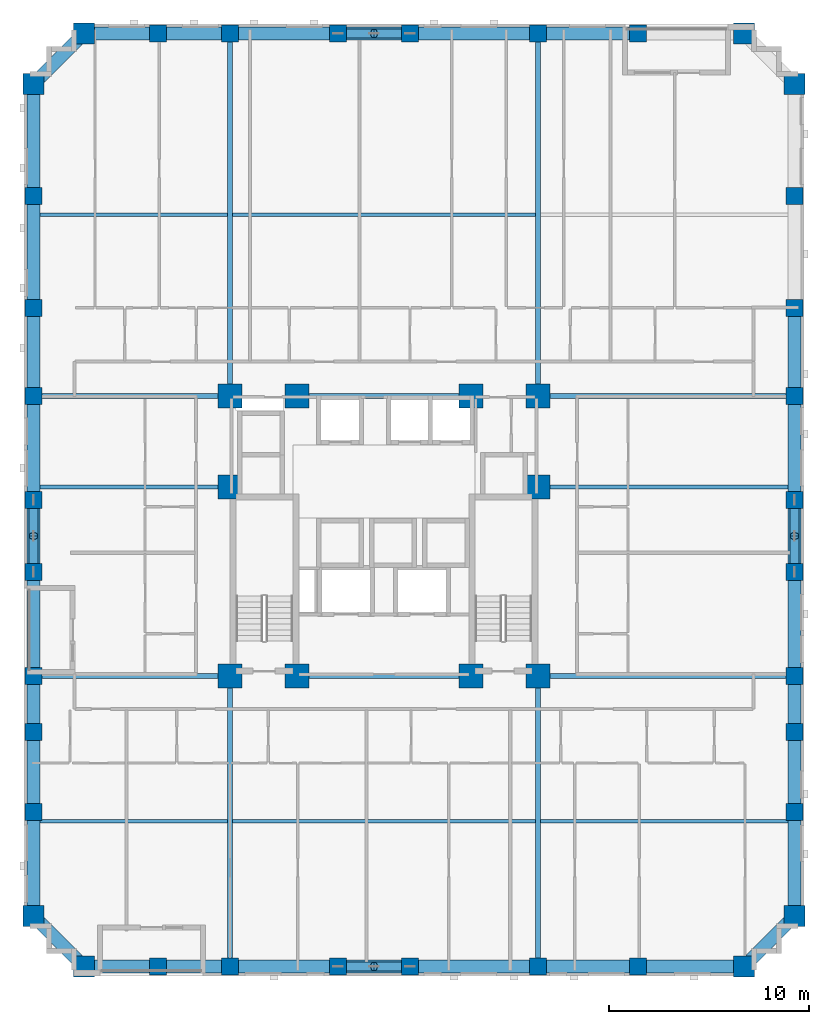
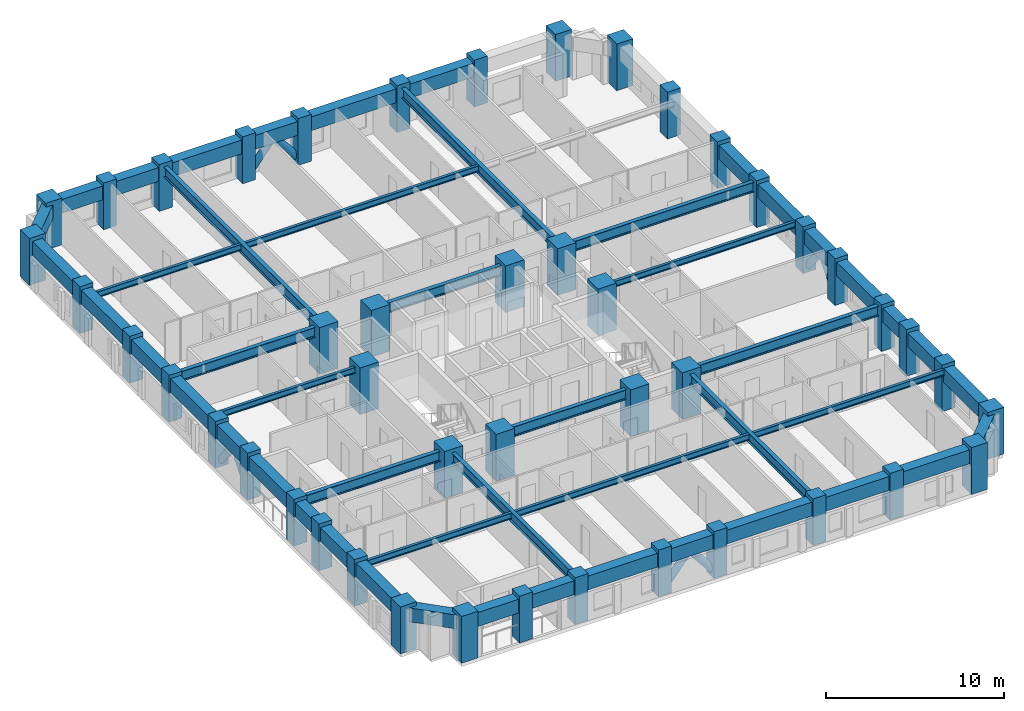
# One storey, part 1 of 14: 49 beams, 46 columns, 8 members.
"""IFC4 building model written with IfcOpenShell, lengths in metres."""

from ifc_helpers import new_model, si_unit, derived_unit, direction, frame, origin, origin_2d, place, context, subcontext, project, spatial, rectangle, hollow_circle, i_section, extrude, material, material_profile, profile_set, type_object, element, save


model = new_model("IFC4")

# Units and contexts
model_context = context("Model", 3, precision=1e-05, world=origin(), true_north=direction((0.0, 1.0)))
body_context = subcontext(model_context, "Body", "Model", "MODEL_VIEW")
ifc_project = project(units=[si_unit("LENGTHUNIT", "METRE"), si_unit("AREAUNIT", "SQUARE_METRE"), si_unit("VOLUMEUNIT", "CUBIC_METRE"), si_unit("PLANEANGLEUNIT", "RADIAN"), si_unit("MASSUNIT", "GRAM", prefix="KILO"), derived_unit("THERMALTRANSMITTANCEUNIT", [(si_unit("MASSUNIT", "GRAM", prefix="KILO"), 1), (si_unit("TIMEUNIT", "SECOND"), -3), (si_unit("THERMODYNAMICTEMPERATUREUNIT", "KELVIN"), -1)])], contexts=[model_context])

# Site, building, storey
site_placement = place(None, origin())
site = spatial("IfcSite", under=ifc_project, at=site_placement, CompositionType="ELEMENT")
building_placement = place(site_placement, origin())
building = spatial("IfcBuilding", under=site, at=building_placement, Name="Korrvale Station Residences", CompositionType="ELEMENT")
storey_placement = place(building_placement, frame((0.0, 0.0, 54.60009765625)))
storey = spatial("IfcBuildingStorey", under=building, at=storey_placement, Name="L14", CompositionType="ELEMENT", Elevation=54.60009765625)

# Columns
ifc_material_1 = material(Name="Concrete C70/85", Category="concrete")
ifc_material_profile_1 = material_profile(ifc_material_1, rectangle(XDim=1.050048828125, YDim=1.050048828125, at=origin_2d()), Name="RC1050x1050")
ifc_profile_set_1 = profile_set([ifc_material_profile_1], Name="Concrete C70/85")
column_type_1 = type_object("IfcColumnType", Name="COL-C-RC1050x1050-C7085", PredefinedType="COLUMN", material=ifc_profile_set_1)
for number, where, z_axis, x_axis, name in (
    (1, (10.5, 0.47998046875, 0.0), (0.0, 0.0, 1.0), (1.0, 0.0, 0.0), "L14 Bundled-Tube South Column 01"),
    (2, (43.5, 0.47998046875, 0.0), (0.0, 0.0, 1.0), (1.0, 0.0, 0.0), "L14 Bundled-Tube South Column 08"),
    (3, (10.5, 47.1201171875, 0.0), (0.0, 0.0, 1.0), (1.0, 0.0, 0.0), "L14 Bundled-Tube North Column 09"),
    (4, (43.5, 47.1201171875, 0.0), (0.0, 0.0, 1.0), (1.0, 0.0, 0.0), "L14 Bundled-Tube North Column 16"),
    (5, (7.97998046875, 3.0, 0.0), (0.0, 0.0, 1.0), (1.0, 0.0, 0.0), "L14 Bundled-Tube West Column 17"),
    (6, (7.97998046875, 44.60009765625, 0.0), (0.0, 0.0, 1.0), (1.0, 0.0, 0.0), "L14 Bundled-Tube West Column 26"),
    (7, (46.02001953125, 3.0, 0.0), (0.0, 0.0, 1.0), (1.0, 0.0, 0.0), "L14 Bundled-Tube East Column 27"),
    (8, (46.02001953125, 44.60009765625, 0.0), (0.0, 0.0, 1.0), (1.0, 0.0, 0.0), "L14 Bundled-Tube East Column 36"),
):
    element("IfcColumn", number, at=place(storey_placement, frame(where, z_axis=z_axis, x_axis=x_axis)), inside=storey, type_object=column_type_1, Name=name, PredefinedType="COLUMN", context=body_context, shape_type="SweptSolid", body=[
        extrude(rectangle(XDim=1.050048828125, YDim=1.050048828125, at=origin_2d()), origin(), (0.0, 0.0, 1.0), 3.199951171875),
    ])
ifc_material_profile_2 = material_profile(ifc_material_1, rectangle(XDim=1.199951171875, YDim=1.199951171875, at=origin_2d()), Name="RC1200x1200")
ifc_profile_set_2 = profile_set([ifc_material_profile_2], Name="Concrete C70/85")
column_type_2 = type_object("IfcColumnType", Name="COL-C-RC1200x1200-C7085", PredefinedType="COLUMN", material=ifc_profile_set_2)
for number, where, z_axis, x_axis, name in (
    (9, (17.800048828125, 15.0, 0.0), (0.0, 0.0, 1.0), (1.0, 0.0, 0.0), "L14 Core Column 01"),
    (10, (21.14990234375, 15.0, 0.0), (0.0, 0.0, 1.0), (1.0, 0.0, 0.0), "L14 Core Column 02"),
    (11, (29.85009765625, 15.0, 0.0), (0.0, 0.0, 1.0), (1.0, 0.0, 0.0), "L14 Core Column 03"),
    (12, (33.199951171875, 15.0, 0.0), (0.0, 0.0, 1.0), (1.0, 0.0, 0.0), "L14 Core Column 04"),
    (13, (17.800048828125, 29.0, 0.0), (0.0, 0.0, 1.0), (1.0, 0.0, 0.0), "L14 Core Column 05"),
    (14, (21.14990234375, 29.0, 0.0), (0.0, 0.0, 1.0), (1.0, 0.0, 0.0), "L14 Core Column 06"),
    (15, (29.85009765625, 29.0, 0.0), (0.0, 0.0, 1.0), (1.0, 0.0, 0.0), "L14 Core Column 07"),
    (16, (33.199951171875, 29.0, 0.0), (0.0, 0.0, 1.0), (1.0, 0.0, 0.0), "L14 Core Column 08"),
    (17, (17.800048828125, 24.449951171875, 0.0), (0.0, 0.0, 1.0), (1.0, 0.0, 0.0), "L14 Core Column 09"),
    (18, (33.199951171875, 24.449951171875, 0.0), (0.0, 0.0, 1.0), (1.0, 0.0, 0.0), "L14 Core Column 10"),
):
    element("IfcColumn", number, at=place(storey_placement, frame(where, z_axis=z_axis, x_axis=x_axis)), inside=storey, type_object=column_type_2, Name=name, PredefinedType="COLUMN", context=body_context, shape_type="SweptSolid", body=[
        extrude(rectangle(XDim=1.199951171875, YDim=1.199951171875, at=origin_2d()), origin(), (0.0, 0.0, 1.0), 3.199951171875),
    ])
ifc_material_profile_3 = material_profile(ifc_material_1, rectangle(XDim=0.85009765625, YDim=0.85009765625, at=origin_2d()), Name="RC850x850")
ifc_profile_set_3 = profile_set([ifc_material_profile_3], Name="Concrete C70/85")
column_type_3 = type_object("IfcColumnType", Name="COL-C-RC850x850-C7085", PredefinedType="COLUMN", material=ifc_profile_set_3)
for number, where, z_axis, x_axis, name in (
    (19, (14.199951171875, 0.47998046875, 0.0), (0.0, 0.0, 1.0), (1.0, 0.0, 0.0), "L14 Bundled-Tube South Column 02"),
    (20, (17.800048828125, 0.47998046875, 0.0), (0.0, 0.0, 1.0), (1.0, 0.0, 0.0), "L14 Bundled-Tube South Column 03"),
    (21, (23.199951171875, 0.47998046875, 0.0), (0.0, 0.0, 1.0), (1.0, 0.0, 0.0), "L14 Bundled-Tube South Column 04"),
    (22, (26.800048828125, 0.47998046875, 0.0), (0.0, 0.0, 1.0), (1.0, 0.0, 0.0), "L14 Bundled-Tube South Column 05"),
    (23, (33.199951171875, 0.47998046875, 0.0), (0.0, 0.0, 1.0), (1.0, 0.0, 0.0), "L14 Bundled-Tube South Column 06"),
    (24, (38.199951171875, 0.47998046875, 0.0), (0.0, 0.0, 1.0), (1.0, 0.0, 0.0), "L14 Bundled-Tube South Column 07"),
    (25, (14.199951171875, 47.1201171875, 0.0), (0.0, 0.0, 1.0), (1.0, 0.0, 0.0), "L14 Bundled-Tube North Column 10"),
    (26, (17.800048828125, 47.1201171875, 0.0), (0.0, 0.0, 1.0), (1.0, 0.0, 0.0), "L14 Bundled-Tube North Column 11"),
    (27, (23.199951171875, 47.1201171875, 0.0), (0.0, 0.0, 1.0), (1.0, 0.0, 0.0), "L14 Bundled-Tube North Column 12"),
    (28, (26.800048828125, 47.1201171875, 0.0), (0.0, 0.0, 1.0), (1.0, 0.0, 0.0), "L14 Bundled-Tube North Column 13"),
    (29, (33.199951171875, 47.1201171875, 0.0), (0.0, 0.0, 1.0), (1.0, 0.0, 0.0), "L14 Bundled-Tube North Column 14"),
    (30, (38.199951171875, 47.1201171875, 0.0), (0.0, 0.0, 1.0), (1.0, 0.0, 0.0), "L14 Bundled-Tube North Column 15"),
    (31, (7.97998046875, 8.199951171875, 0.0), (0.0, 0.0, 1.0), (1.0, 0.0, 0.0), "L14 Bundled-Tube West Column 18"),
    (32, (7.97998046875, 12.199951171875, 0.0), (0.0, 0.0, 1.0), (1.0, 0.0, 0.0), "L14 Bundled-Tube West Column 19"),
    (33, (7.97998046875, 15.0, 0.0), (0.0, 0.0, 1.0), (1.0, 0.0, 0.0), "L14 Bundled-Tube West Column 20"),
    (34, (7.97998046875, 20.199951171875, 0.0), (0.0, 0.0, 1.0), (1.0, 0.0, 0.0), "L14 Bundled-Tube West Column 21"),
    (35, (7.97998046875, 23.800048828125, 0.0), (0.0, 0.0, 1.0), (1.0, 0.0, 0.0), "L14 Bundled-Tube West Column 22"),
    (36, (7.97998046875, 29.0, 0.0), (0.0, 0.0, 1.0), (1.0, 0.0, 0.0), "L14 Bundled-Tube West Column 23"),
    (37, (7.97998046875, 33.39990234375, 0.0), (0.0, 0.0, 1.0), (1.0, 0.0, 0.0), "L14 Bundled-Tube West Column 24"),
    (38, (7.97998046875, 39.0, 0.0), (0.0, 0.0, 1.0), (1.0, 0.0, 0.0), "L14 Bundled-Tube West Column 25"),
    (39, (46.02001953125, 8.199951171875, 0.0), (0.0, 0.0, 1.0), (1.0, 0.0, 0.0), "L14 Bundled-Tube East Column 28"),
    (40, (46.02001953125, 12.199951171875, 0.0), (0.0, 0.0, 1.0), (1.0, 0.0, 0.0), "L14 Bundled-Tube East Column 29"),
    (41, (46.02001953125, 15.0, 0.0), (0.0, 0.0, 1.0), (1.0, 0.0, 0.0), "L14 Bundled-Tube East Column 30"),
    (42, (46.02001953125, 20.199951171875, 0.0), (0.0, 0.0, 1.0), (1.0, 0.0, 0.0), "L14 Bundled-Tube East Column 31"),
    (43, (46.02001953125, 23.800048828125, 0.0), (0.0, 0.0, 1.0), (1.0, 0.0, 0.0), "L14 Bundled-Tube East Column 32"),
    (44, (46.02001953125, 29.0, 0.0), (0.0, 0.0, 1.0), (1.0, 0.0, 0.0), "L14 Bundled-Tube East Column 33"),
    (45, (46.02001953125, 33.39990234375, 0.0), (0.0, 0.0, 1.0), (1.0, 0.0, 0.0), "L14 Bundled-Tube East Column 34"),
    (46, (46.02001953125, 39.0, 0.0), (0.0, 0.0, 1.0), (1.0, 0.0, 0.0), "L14 Bundled-Tube East Column 35"),
):
    element("IfcColumn", number, at=place(storey_placement, frame(where, z_axis=z_axis, x_axis=x_axis)), inside=storey, type_object=column_type_3, Name=name, PredefinedType="COLUMN", context=body_context, shape_type="SweptSolid", body=[
        extrude(rectangle(XDim=0.85009765625, YDim=0.85009765625, at=origin_2d()), origin(), (0.0, 0.0, 1.0), 3.199951171875),
    ])

# Beams
ifc_material_2 = material(Name="Steel S355", Category="steel")
ifc_material_profile_4 = material_profile(ifc_material_2, i_section(OverallWidth=0.256103515625, OverallDepth=0.693115234375, WebThickness=0.014404296875, FlangeThickness=0.023681640625, FilletRadius=0.02197265625, at=origin_2d()), Name="W690x170")
ifc_profile_set_4 = profile_set([ifc_material_profile_4], Name="Steel S355")
beam_type_1 = type_object("IfcBeamType", Name="BM-BM-W690x170-S355", PredefinedType="BEAM", material=ifc_profile_set_4)
for number, where, z_axis, x_axis, name in (
    (47, (17.800048828125, 0.47998046875, 2.593505859375), (0.0, 1.0, 0.0), (-1.0, 0.0, 0.0), "L14 Bundled-Tube Web Girder 01"),
    (48, (33.199951171875, 0.47998046875, 2.593505859375), (0.0, 1.0, 0.0), (-1.0, 0.0, 0.0), "L14 Bundled-Tube Web Girder 02"),
):
    element("IfcBeam", number, at=place(storey_placement, frame(where, z_axis=z_axis, x_axis=x_axis)), inside=storey, type_object=beam_type_1, Name=name, PredefinedType="BEAM", context=body_context, shape_type="SweptSolid", body=[
        extrude(i_section(OverallWidth=0.256103515625, OverallDepth=0.693115234375, WebThickness=0.014404296875, FlangeThickness=0.023681640625, FilletRadius=0.02197265625, at=origin_2d()), origin(), (0.0, 0.0, 1.0), 14.52001953125),
    ])
for number, where, z_axis, x_axis, name in (
    (49, (17.800048828125, 29.0, 2.593505859375), (0.0, 1.0, 0.0), (-1.0, 0.0, 0.0), "L14 Bundled-Tube Web Girder 03"),
    (50, (33.199951171875, 29.0, 2.593505859375), (0.0, 1.0, 0.0), (-1.0, 0.0, 0.0), "L14 Bundled-Tube Web Girder 04"),
):
    element("IfcBeam", number, at=place(storey_placement, frame(where, z_axis=z_axis, x_axis=x_axis)), inside=storey, type_object=beam_type_1, Name=name, PredefinedType="BEAM", context=body_context, shape_type="SweptSolid", body=[
        extrude(i_section(OverallWidth=0.256103515625, OverallDepth=0.693115234375, WebThickness=0.014404296875, FlangeThickness=0.023681640625, FilletRadius=0.02197265625, at=origin_2d()), origin(), (0.0, 0.0, 1.0), 18.1201171875),
    ])
beam_1_placement = place(storey_placement, frame((7.97998046875, 15.0, 2.593505859375), z_axis=(1.0, 0.0, 0.0), x_axis=(0.0, 1.0, 0.0)))
element("IfcBeam", 51, at=beam_1_placement, inside=storey, type_object=beam_type_1, Name="L14 Bundled-Tube Web Girder 05", PredefinedType="BEAM", context=body_context, shape_type="SweptSolid", body=[
    extrude(i_section(OverallWidth=0.256103515625, OverallDepth=0.693115234375, WebThickness=0.014404296875, FlangeThickness=0.023681640625, FilletRadius=0.02197265625, at=origin_2d()), origin(), (0.0, 0.0, 1.0), 9.820068359375),
])
beam_2_placement = place(storey_placement, frame((33.199951171875, 15.0, 2.593505859375), z_axis=(1.0, 0.0, 0.0), x_axis=(0.0, 1.0, 0.0)))
element("IfcBeam", 52, at=beam_2_placement, inside=storey, type_object=beam_type_1, Name="L14 Bundled-Tube Web Girder 06", PredefinedType="BEAM", context=body_context, shape_type="SweptSolid", body=[
    extrude(i_section(OverallWidth=0.256103515625, OverallDepth=0.693115234375, WebThickness=0.014404296875, FlangeThickness=0.023681640625, FilletRadius=0.02197265625, at=origin_2d()), origin(), (0.0, 0.0, 1.0), 12.820068359375),
])
beam_3_placement = place(storey_placement, frame((7.97998046875, 29.0, 2.593505859375), z_axis=(1.0, 0.0, 0.0), x_axis=(0.0, 1.0, 0.0)))
element("IfcBeam", 53, at=beam_3_placement, inside=storey, type_object=beam_type_1, Name="L14 Bundled-Tube Web Girder 07", PredefinedType="BEAM", context=body_context, shape_type="SweptSolid", body=[
    extrude(i_section(OverallWidth=0.256103515625, OverallDepth=0.693115234375, WebThickness=0.014404296875, FlangeThickness=0.023681640625, FilletRadius=0.02197265625, at=origin_2d()), origin(), (0.0, 0.0, 1.0), 9.820068359375),
])
beam_4_placement = place(storey_placement, frame((33.199951171875, 29.0, 2.593505859375), z_axis=(1.0, 0.0, 0.0), x_axis=(0.0, 1.0, 0.0)))
element("IfcBeam", 54, at=beam_4_placement, inside=storey, type_object=beam_type_1, Name="L14 Bundled-Tube Web Girder 08", PredefinedType="BEAM", context=body_context, shape_type="SweptSolid", body=[
    extrude(i_section(OverallWidth=0.256103515625, OverallDepth=0.693115234375, WebThickness=0.014404296875, FlangeThickness=0.023681640625, FilletRadius=0.02197265625, at=origin_2d()), origin(), (0.0, 0.0, 1.0), 12.820068359375),
])
for number, where, z_axis, x_axis, name in (
    (55, (21.14990234375, 15.0, 2.593505859375), (1.0, 0.0, 0.0), (0.0, 1.0, 0.0), "L14 Bundled-Tube Web Girder 09"),
    (56, (21.14990234375, 29.0, 2.593505859375), (1.0, 0.0, 0.0), (0.0, 1.0, 0.0), "L14 Bundled-Tube Web Girder 10"),
):
    element("IfcBeam", number, at=place(storey_placement, frame(where, z_axis=z_axis, x_axis=x_axis)), inside=storey, type_object=beam_type_1, Name=name, PredefinedType="BEAM", context=body_context, shape_type="SweptSolid", body=[
        extrude(i_section(OverallWidth=0.256103515625, OverallDepth=0.693115234375, WebThickness=0.014404296875, FlangeThickness=0.023681640625, FilletRadius=0.02197265625, at=origin_2d()), origin(), (0.0, 0.0, 1.0), 8.7001953125),
    ])
ifc_material_profile_5 = material_profile(ifc_material_2, i_section(OverallWidth=0.180908203125, OverallDepth=0.4169921875, WebThickness=0.010986328125, FlangeThickness=0.018310546875, FilletRadius=0.01611328125, at=origin_2d()), Name="W410x85")
ifc_profile_set_5 = profile_set([ifc_material_profile_5], Name="Steel S355")
beam_type_2 = type_object("IfcBeamType", Name="BM-JST-W410x85-S355", PredefinedType="JOIST", material=ifc_profile_set_5)
beam_5_placement = place(storey_placement, frame((8.304931640625, 7.739990234375, 2.7314453125), z_axis=(1.0, 0.0, 0.0), x_axis=(0.0, 1.0, 0.0)))
element("IfcBeam", 57, at=beam_5_placement, inside=storey, type_object=beam_type_2, Name="L14 Floor Framing Joist 01", PredefinedType="JOIST", context=body_context, shape_type="SweptSolid", body=[
    extrude(i_section(OverallWidth=0.180908203125, OverallDepth=0.4169921875, WebThickness=0.010986328125, FlangeThickness=0.018310546875, FilletRadius=0.01611328125, at=origin_2d()), origin(), (0.0, 0.0, 1.0), 9.3671875),
])
beam_6_placement = place(storey_placement, frame((17.927978515625, 7.739990234375, 2.7314453125), z_axis=(1.0, 0.0, 0.0), x_axis=(0.0, 1.0, 0.0)))
element("IfcBeam", 58, at=beam_6_placement, inside=storey, type_object=beam_type_2, Name="L14 Floor Framing Joist 02", PredefinedType="JOIST", context=body_context, shape_type="SweptSolid", body=[
    extrude(i_section(OverallWidth=0.180908203125, OverallDepth=0.4169921875, WebThickness=0.010986328125, FlangeThickness=0.018310546875, FilletRadius=0.01611328125, at=origin_2d()), origin(), (0.0, 0.0, 1.0), 15.14404296875),
])
beam_7_placement = place(storey_placement, frame((33.327880859375, 7.739990234375, 2.7314453125), z_axis=(1.0, 0.0, 0.0), x_axis=(0.0, 1.0, 0.0)))
element("IfcBeam", 59, at=beam_7_placement, inside=storey, type_object=beam_type_2, Name="L14 Floor Framing Joist 03", PredefinedType="JOIST", context=body_context, shape_type="SweptSolid", body=[
    extrude(i_section(OverallWidth=0.180908203125, OverallDepth=0.4169921875, WebThickness=0.010986328125, FlangeThickness=0.018310546875, FilletRadius=0.01611328125, at=origin_2d()), origin(), (0.0, 0.0, 1.0), 12.3671875),
])
beam_8_placement = place(storey_placement, frame((8.304931640625, 38.06005859375, 2.7314453125), z_axis=(1.0, 0.0, 0.0), x_axis=(0.0, 1.0, 0.0)))
element("IfcBeam", 60, at=beam_8_placement, inside=storey, type_object=beam_type_2, Name="L14 Floor Framing Joist 04", PredefinedType="JOIST", context=body_context, shape_type="SweptSolid", body=[
    extrude(i_section(OverallWidth=0.180908203125, OverallDepth=0.4169921875, WebThickness=0.010986328125, FlangeThickness=0.018310546875, FilletRadius=0.01611328125, at=origin_2d()), origin(), (0.0, 0.0, 1.0), 9.3671875),
])
beam_9_placement = place(storey_placement, frame((17.927978515625, 38.06005859375, 2.7314453125), z_axis=(1.0, 0.0, 0.0), x_axis=(0.0, 1.0, 0.0)))
element("IfcBeam", 61, at=beam_9_placement, inside=storey, type_object=beam_type_2, Name="L14 Floor Framing Joist 05", PredefinedType="JOIST", context=body_context, shape_type="SweptSolid", body=[
    extrude(i_section(OverallWidth=0.180908203125, OverallDepth=0.4169921875, WebThickness=0.010986328125, FlangeThickness=0.018310546875, FilletRadius=0.01611328125, at=origin_2d()), origin(), (0.0, 0.0, 1.0), 15.14404296875),
])
beam_10_placement = place(storey_placement, frame((33.199951171875, 24.449951171875, 2.7314453125), z_axis=(1.0, 0.0, 0.0), x_axis=(0.0, 1.0, 0.0)))
element("IfcBeam", 62, at=beam_10_placement, inside=storey, type_object=beam_type_2, Name="L14 Floor Framing Joist 07", PredefinedType="JOIST", context=body_context, shape_type="SweptSolid", body=[
    extrude(i_section(OverallWidth=0.180908203125, OverallDepth=0.4169921875, WebThickness=0.010986328125, FlangeThickness=0.018310546875, FilletRadius=0.01611328125, at=origin_2d()), origin(), (0.0, 0.0, 1.0), 12.4951171875),
])
beam_11_placement = place(storey_placement, frame((8.304931640625, 24.449951171875, 2.7314453125), z_axis=(1.0, 0.0, 0.0), x_axis=(0.0, 1.0, 0.0)))
element("IfcBeam", 63, at=beam_11_placement, inside=storey, type_object=beam_type_2, Name="L14 Floor Framing Joist 08", PredefinedType="JOIST", context=body_context, shape_type="SweptSolid", body=[
    extrude(i_section(OverallWidth=0.180908203125, OverallDepth=0.4169921875, WebThickness=0.010986328125, FlangeThickness=0.018310546875, FilletRadius=0.01611328125, at=origin_2d()), origin(), (0.0, 0.0, 1.0), 9.4951171875),
])
ifc_material_profile_6 = material_profile(ifc_material_1, rectangle(XDim=0.64990234375, YDim=0.949951171875, at=origin_2d()), Name="RCB650x950")
ifc_profile_set_6 = profile_set([ifc_material_profile_6], Name="Concrete C70/85")
beam_type_3 = type_object("IfcBeamType", Name="BM-SPB-RCB650x950-C7085", PredefinedType="SPANDREL", material=ifc_profile_set_6)
beam_12_placement = place(storey_placement, frame((10.5, 0.47998046875, 2.46484375), z_axis=(1.0, 0.0, 0.0), x_axis=(0.0, 1.0, 0.0)))
element("IfcBeam", 64, at=beam_12_placement, inside=storey, type_object=beam_type_3, Name="L14 South Tube Spandrel 01", PredefinedType="SPANDREL", context=body_context, shape_type="SweptSolid", body=[
    extrude(rectangle(XDim=0.64990234375, YDim=0.949951171875, at=origin_2d()), origin(), (0.0, 0.0, 1.0), 3.699951171875),
])
beam_13_placement = place(storey_placement, frame((14.199951171875, 0.47998046875, 2.46484375), z_axis=(1.0, 0.0, 0.0), x_axis=(0.0, 1.0, 0.0)))
element("IfcBeam", 65, at=beam_13_placement, inside=storey, type_object=beam_type_3, Name="L14 South Tube Spandrel 02", PredefinedType="SPANDREL", context=body_context, shape_type="SweptSolid", body=[
    extrude(rectangle(XDim=0.64990234375, YDim=0.949951171875, at=origin_2d()), origin(), (0.0, 0.0, 1.0), 3.60009765625),
])
beam_14_placement = place(storey_placement, frame((17.800048828125, 0.47998046875, 2.46484375), z_axis=(1.0, 0.0, 0.0), x_axis=(0.0, 1.0, 0.0)))
element("IfcBeam", 66, at=beam_14_placement, inside=storey, type_object=beam_type_3, Name="L14 South Tube Spandrel 03", PredefinedType="SPANDREL", context=body_context, shape_type="SweptSolid", body=[
    extrude(rectangle(XDim=0.64990234375, YDim=0.949951171875, at=origin_2d()), origin(), (0.0, 0.0, 1.0), 5.39990234375),
])
beam_15_placement = place(storey_placement, frame((23.199951171875, 0.47998046875, 2.46484375), z_axis=(1.0, 0.0, 0.0), x_axis=(0.0, 1.0, 0.0)))
element("IfcBeam", 67, at=beam_15_placement, inside=storey, type_object=beam_type_3, Name="L14 South Tube Spandrel 04", PredefinedType="SPANDREL", context=body_context, shape_type="SweptSolid", body=[
    extrude(rectangle(XDim=0.64990234375, YDim=0.949951171875, at=origin_2d()), origin(), (0.0, 0.0, 1.0), 3.60009765625),
])
beam_16_placement = place(storey_placement, frame((26.800048828125, 0.47998046875, 2.46484375), z_axis=(1.0, 0.0, 0.0), x_axis=(0.0, 1.0, 0.0)))
element("IfcBeam", 68, at=beam_16_placement, inside=storey, type_object=beam_type_3, Name="L14 South Tube Spandrel 05", PredefinedType="SPANDREL", context=body_context, shape_type="SweptSolid", body=[
    extrude(rectangle(XDim=0.64990234375, YDim=0.949951171875, at=origin_2d()), origin(), (0.0, 0.0, 1.0), 6.39990234375),
])
beam_17_placement = place(storey_placement, frame((33.199951171875, 0.47998046875, 2.46484375), z_axis=(1.0, 0.0, 0.0), x_axis=(0.0, 1.0, 0.0)))
element("IfcBeam", 69, at=beam_17_placement, inside=storey, type_object=beam_type_3, Name="L14 South Tube Spandrel 06", PredefinedType="SPANDREL", context=body_context, shape_type="SweptSolid", body=[
    extrude(rectangle(XDim=0.64990234375, YDim=0.949951171875, at=origin_2d()), origin(), (0.0, 0.0, 1.0), 5.0),
])
beam_18_placement = place(storey_placement, frame((38.199951171875, 0.47998046875, 2.46484375), z_axis=(1.0, 0.0, 0.0), x_axis=(0.0, 1.0, 0.0)))
element("IfcBeam", 70, at=beam_18_placement, inside=storey, type_object=beam_type_3, Name="L14 South Tube Spandrel 07", PredefinedType="SPANDREL", context=body_context, shape_type="SweptSolid", body=[
    extrude(rectangle(XDim=0.64990234375, YDim=0.949951171875, at=origin_2d()), origin(), (0.0, 0.0, 1.0), 5.300048828125),
])
beam_19_placement = place(storey_placement, frame((10.5, 47.1201171875, 2.46484375), z_axis=(1.0, 0.0, 0.0), x_axis=(0.0, 1.0, 0.0)))
element("IfcBeam", 71, at=beam_19_placement, inside=storey, type_object=beam_type_3, Name="L14 North Tube Spandrel 08", PredefinedType="SPANDREL", context=body_context, shape_type="SweptSolid", body=[
    extrude(rectangle(XDim=0.64990234375, YDim=0.949951171875, at=origin_2d()), origin(), (0.0, 0.0, 1.0), 3.699951171875),
])
beam_20_placement = place(storey_placement, frame((14.199951171875, 47.1201171875, 2.46484375), z_axis=(1.0, 0.0, 0.0), x_axis=(0.0, 1.0, 0.0)))
element("IfcBeam", 72, at=beam_20_placement, inside=storey, type_object=beam_type_3, Name="L14 North Tube Spandrel 09", PredefinedType="SPANDREL", context=body_context, shape_type="SweptSolid", body=[
    extrude(rectangle(XDim=0.64990234375, YDim=0.949951171875, at=origin_2d()), origin(), (0.0, 0.0, 1.0), 3.60009765625),
])
beam_21_placement = place(storey_placement, frame((17.800048828125, 47.1201171875, 2.46484375), z_axis=(1.0, 0.0, 0.0), x_axis=(0.0, 1.0, 0.0)))
element("IfcBeam", 73, at=beam_21_placement, inside=storey, type_object=beam_type_3, Name="L14 North Tube Spandrel 10", PredefinedType="SPANDREL", context=body_context, shape_type="SweptSolid", body=[
    extrude(rectangle(XDim=0.64990234375, YDim=0.949951171875, at=origin_2d()), origin(), (0.0, 0.0, 1.0), 5.39990234375),
])
beam_22_placement = place(storey_placement, frame((23.199951171875, 47.1201171875, 2.46484375), z_axis=(1.0, 0.0, 0.0), x_axis=(0.0, 1.0, 0.0)))
element("IfcBeam", 74, at=beam_22_placement, inside=storey, type_object=beam_type_3, Name="L14 North Tube Spandrel 11", PredefinedType="SPANDREL", context=body_context, shape_type="SweptSolid", body=[
    extrude(rectangle(XDim=0.64990234375, YDim=0.949951171875, at=origin_2d()), origin(), (0.0, 0.0, 1.0), 3.60009765625),
])
beam_23_placement = place(storey_placement, frame((26.800048828125, 47.1201171875, 2.46484375), z_axis=(1.0, 0.0, 0.0), x_axis=(0.0, 1.0, 0.0)))
element("IfcBeam", 75, at=beam_23_placement, inside=storey, type_object=beam_type_3, Name="L14 North Tube Spandrel 12", PredefinedType="SPANDREL", context=body_context, shape_type="SweptSolid", body=[
    extrude(rectangle(XDim=0.64990234375, YDim=0.949951171875, at=origin_2d()), origin(), (0.0, 0.0, 1.0), 6.39990234375),
])
beam_24_placement = place(storey_placement, frame((33.199951171875, 47.1201171875, 2.46484375), z_axis=(1.0, 0.0, 0.0), x_axis=(0.0, 1.0, 0.0)))
element("IfcBeam", 76, at=beam_24_placement, inside=storey, type_object=beam_type_3, Name="L14 North Tube Spandrel 13", PredefinedType="SPANDREL", context=body_context, shape_type="SweptSolid", body=[
    extrude(rectangle(XDim=0.64990234375, YDim=0.949951171875, at=origin_2d()), origin(), (0.0, 0.0, 1.0), 5.0),
])
beam_25_placement = place(storey_placement, frame((7.97998046875, 3.0, 2.46484375), z_axis=(0.0, 1.0, 0.0), x_axis=(-1.0, 0.0, 0.0)))
element("IfcBeam", 77, at=beam_25_placement, inside=storey, type_object=beam_type_3, Name="L14 West Tube Spandrel 15", PredefinedType="SPANDREL", context=body_context, shape_type="SweptSolid", body=[
    extrude(rectangle(XDim=0.64990234375, YDim=0.949951171875, at=origin_2d()), origin(), (0.0, 0.0, 1.0), 5.199951171875),
])
beam_26_placement = place(storey_placement, frame((7.97998046875, 8.199951171875, 2.46484375), z_axis=(0.0, 1.0, 0.0), x_axis=(-1.0, 0.0, 0.0)))
element("IfcBeam", 78, at=beam_26_placement, inside=storey, type_object=beam_type_3, Name="L14 West Tube Spandrel 16", PredefinedType="SPANDREL", context=body_context, shape_type="SweptSolid", body=[
    extrude(rectangle(XDim=0.64990234375, YDim=0.949951171875, at=origin_2d()), origin(), (0.0, 0.0, 1.0), 4.0),
])
beam_27_placement = place(storey_placement, frame((7.97998046875, 12.199951171875, 2.46484375), z_axis=(0.0, 1.0, 0.0), x_axis=(-1.0, 0.0, 0.0)))
element("IfcBeam", 79, at=beam_27_placement, inside=storey, type_object=beam_type_3, Name="L14 West Tube Spandrel 17", PredefinedType="SPANDREL", context=body_context, shape_type="SweptSolid", body=[
    extrude(rectangle(XDim=0.64990234375, YDim=0.949951171875, at=origin_2d()), origin(), (0.0, 0.0, 1.0), 2.800048828125),
])
beam_28_placement = place(storey_placement, frame((7.97998046875, 15.0, 2.46484375), z_axis=(0.0, 1.0, 0.0), x_axis=(-1.0, 0.0, 0.0)))
element("IfcBeam", 80, at=beam_28_placement, inside=storey, type_object=beam_type_3, Name="L14 West Tube Spandrel 18", PredefinedType="SPANDREL", context=body_context, shape_type="SweptSolid", body=[
    extrude(rectangle(XDim=0.64990234375, YDim=0.949951171875, at=origin_2d()), origin(), (0.0, 0.0, 1.0), 5.199951171875),
])
beam_29_placement = place(storey_placement, frame((7.97998046875, 20.199951171875, 2.46484375), z_axis=(0.0, 1.0, 0.0), x_axis=(-1.0, 0.0, 0.0)))
element("IfcBeam", 81, at=beam_29_placement, inside=storey, type_object=beam_type_3, Name="L14 West Tube Spandrel 19", PredefinedType="SPANDREL", context=body_context, shape_type="SweptSolid", body=[
    extrude(rectangle(XDim=0.64990234375, YDim=0.949951171875, at=origin_2d()), origin(), (0.0, 0.0, 1.0), 3.60009765625),
])
beam_30_placement = place(storey_placement, frame((7.97998046875, 23.800048828125, 2.46484375), z_axis=(0.0, 1.0, 0.0), x_axis=(-1.0, 0.0, 0.0)))
element("IfcBeam", 82, at=beam_30_placement, inside=storey, type_object=beam_type_3, Name="L14 West Tube Spandrel 20", PredefinedType="SPANDREL", context=body_context, shape_type="SweptSolid", body=[
    extrude(rectangle(XDim=0.64990234375, YDim=0.949951171875, at=origin_2d()), origin(), (0.0, 0.0, 1.0), 5.199951171875),
])
beam_31_placement = place(storey_placement, frame((7.97998046875, 29.0, 2.46484375), z_axis=(0.0, 1.0, 0.0), x_axis=(-1.0, 0.0, 0.0)))
element("IfcBeam", 83, at=beam_31_placement, inside=storey, type_object=beam_type_3, Name="L14 West Tube Spandrel 21", PredefinedType="SPANDREL", context=body_context, shape_type="SweptSolid", body=[
    extrude(rectangle(XDim=0.64990234375, YDim=0.949951171875, at=origin_2d()), origin(), (0.0, 0.0, 1.0), 4.39990234375),
])
for number, where, z_axis, x_axis, name in (
    (84, (7.97998046875, 33.39990234375, 2.46484375), (0.0, 1.0, 0.0), (-1.0, 0.0, 0.0), "L14 West Tube Spandrel 22"),
    (85, (7.97998046875, 39.0, 2.46484375), (0.0, 1.0, 0.0), (-1.0, 0.0, 0.0), "L14 West Tube Spandrel 23"),
):
    element("IfcBeam", number, at=place(storey_placement, frame(where, z_axis=z_axis, x_axis=x_axis)), inside=storey, type_object=beam_type_3, Name=name, PredefinedType="SPANDREL", context=body_context, shape_type="SweptSolid", body=[
        extrude(rectangle(XDim=0.64990234375, YDim=0.949951171875, at=origin_2d()), origin(), (0.0, 0.0, 1.0), 5.60009765625),
    ])
beam_32_placement = place(storey_placement, frame((46.02001953125, 3.0, 2.46484375), z_axis=(0.0, 1.0, 0.0), x_axis=(-1.0, 0.0, 0.0)))
element("IfcBeam", 86, at=beam_32_placement, inside=storey, type_object=beam_type_3, Name="L14 East Tube Spandrel 24", PredefinedType="SPANDREL", context=body_context, shape_type="SweptSolid", body=[
    extrude(rectangle(XDim=0.64990234375, YDim=0.949951171875, at=origin_2d()), origin(), (0.0, 0.0, 1.0), 5.199951171875),
])
beam_33_placement = place(storey_placement, frame((46.02001953125, 8.199951171875, 2.46484375), z_axis=(0.0, 1.0, 0.0), x_axis=(-1.0, 0.0, 0.0)))
element("IfcBeam", 87, at=beam_33_placement, inside=storey, type_object=beam_type_3, Name="L14 East Tube Spandrel 25", PredefinedType="SPANDREL", context=body_context, shape_type="SweptSolid", body=[
    extrude(rectangle(XDim=0.64990234375, YDim=0.949951171875, at=origin_2d()), origin(), (0.0, 0.0, 1.0), 4.0),
])
beam_34_placement = place(storey_placement, frame((46.02001953125, 12.199951171875, 2.46484375), z_axis=(0.0, 1.0, 0.0), x_axis=(-1.0, 0.0, 0.0)))
element("IfcBeam", 88, at=beam_34_placement, inside=storey, type_object=beam_type_3, Name="L14 East Tube Spandrel 26", PredefinedType="SPANDREL", context=body_context, shape_type="SweptSolid", body=[
    extrude(rectangle(XDim=0.64990234375, YDim=0.949951171875, at=origin_2d()), origin(), (0.0, 0.0, 1.0), 2.800048828125),
])
beam_35_placement = place(storey_placement, frame((46.02001953125, 15.0, 2.46484375), z_axis=(0.0, 1.0, 0.0), x_axis=(-1.0, 0.0, 0.0)))
element("IfcBeam", 89, at=beam_35_placement, inside=storey, type_object=beam_type_3, Name="L14 East Tube Spandrel 27", PredefinedType="SPANDREL", context=body_context, shape_type="SweptSolid", body=[
    extrude(rectangle(XDim=0.64990234375, YDim=0.949951171875, at=origin_2d()), origin(), (0.0, 0.0, 1.0), 5.199951171875),
])
beam_36_placement = place(storey_placement, frame((46.02001953125, 20.199951171875, 2.46484375), z_axis=(0.0, 1.0, 0.0), x_axis=(-1.0, 0.0, 0.0)))
element("IfcBeam", 90, at=beam_36_placement, inside=storey, type_object=beam_type_3, Name="L14 East Tube Spandrel 28", PredefinedType="SPANDREL", context=body_context, shape_type="SweptSolid", body=[
    extrude(rectangle(XDim=0.64990234375, YDim=0.949951171875, at=origin_2d()), origin(), (0.0, 0.0, 1.0), 3.60009765625),
])
beam_37_placement = place(storey_placement, frame((46.02001953125, 23.800048828125, 2.46484375), z_axis=(0.0, 1.0, 0.0), x_axis=(-1.0, 0.0, 0.0)))
element("IfcBeam", 91, at=beam_37_placement, inside=storey, type_object=beam_type_3, Name="L14 East Tube Spandrel 29", PredefinedType="SPANDREL", context=body_context, shape_type="SweptSolid", body=[
    extrude(rectangle(XDim=0.64990234375, YDim=0.949951171875, at=origin_2d()), origin(), (0.0, 0.0, 1.0), 5.199951171875),
])
beam_38_placement = place(storey_placement, frame((46.02001953125, 29.0, 2.46484375), z_axis=(0.0, 1.0, 0.0), x_axis=(-1.0, 0.0, 0.0)))
element("IfcBeam", 92, at=beam_38_placement, inside=storey, type_object=beam_type_3, Name="L14 East Tube Spandrel 30", PredefinedType="SPANDREL", context=body_context, shape_type="SweptSolid", body=[
    extrude(rectangle(XDim=0.64990234375, YDim=0.949951171875, at=origin_2d()), origin(), (0.0, 0.0, 1.0), 4.39990234375),
])
for number, where, z_axis, x_axis, name in (
    (93, (10.5, 0.47998046875, 2.46484375), (-0.707106781187, 0.707106781187, 0.0), (-0.707106781187, -0.707106781187, 0.0), "L14 Serrated Corner Spandrel 33"),
    (94, (43.5, 0.47998046875, 2.46484375), (0.707106781187, 0.707106781187, 0.0), (-0.707106781187, 0.707106781187, 0.0), "L14 Serrated Corner Spandrel 34"),
    (95, (10.5, 47.1201171875, 2.46484375), (-0.707106781187, -0.707106781187, 0.0), (0.707106781187, -0.707106781187, 0.0), "L14 Serrated Corner Spandrel 36"),
):
    element("IfcBeam", number, at=place(storey_placement, frame(where, z_axis=z_axis, x_axis=x_axis)), inside=storey, type_object=beam_type_3, Name=name, PredefinedType="SPANDREL", context=body_context, shape_type="SweptSolid", body=[
        extrude(rectangle(XDim=0.64990234375, YDim=0.949951171875, at=origin_2d()), origin(), (0.0, 0.0, 1.0), 3.56396484375),
    ])

# Members
ifc_material_profile_7 = material_profile(ifc_material_2, hollow_circle(Radius=0.228515625, WallThickness=0.01904296875, at=origin_2d()), Name="HSS457x19")
ifc_profile_set_7 = profile_set([ifc_material_profile_7], Name="Steel S355")
member_type = type_object("IfcMemberType", Name="MBR-BR-HSS457x19", PredefinedType="BRACE", material=ifc_profile_set_7)
for number, where, z_axis, x_axis, name in (
    (96, (23.199951171875, 0.47998046875, 0.02001953125), (0.634985494602, 0.0, 0.772524058942), (0.0, 1.0, 0.0), "L14 S Perimeter Tube Wind Brace 1"),
    (97, (26.800048828125, 0.47998046875, 0.02001953125), (-0.634985494602, 0.0, 0.772524058942), (0.0, -1.0, 0.0), "L14 S Perimeter Tube Wind Brace 2"),
    (98, (23.199951171875, 47.1201171875, 0.02001953125), (0.634985494602, 0.0, 0.772524058942), (0.0, 1.0, 0.0), "L14 N Perimeter Tube Wind Brace 1"),
    (99, (26.800048828125, 47.1201171875, 0.02001953125), (-0.634985494602, 0.0, 0.772524058942), (0.0, -1.0, 0.0), "L14 N Perimeter Tube Wind Brace 2"),
    (100, (7.97998046875, 20.199951171875, 0.02001953125), (0.0, 0.634985494602, 0.772524058942), (-1.0, 0.0, 0.0), "L14 W Perimeter Tube Wind Brace 1"),
    (101, (7.97998046875, 23.800048828125, 0.02001953125), (0.0, -0.634985494602, 0.772524058942), (1.0, 0.0, 0.0), "L14 W Perimeter Tube Wind Brace 2"),
    (102, (46.02001953125, 20.199951171875, 0.02001953125), (0.0, 0.634985494602, 0.772524058942), (-1.0, 0.0, 0.0), "L14 E Perimeter Tube Wind Brace 1"),
    (103, (46.02001953125, 23.800048828125, 0.02001953125), (0.0, -0.634985494602, 0.772524058942), (1.0, 0.0, 0.0), "L14 E Perimeter Tube Wind Brace 2"),
):
    element("IfcMember", number, at=place(storey_placement, frame(where, z_axis=z_axis, x_axis=x_axis)), inside=storey, type_object=member_type, Name=name, PredefinedType="BRACE", context=body_context, shape_type="SweptSolid", body=[
        extrude(hollow_circle(Radius=0.228515625, WallThickness=0.01904296875, at=origin_2d()), origin(), (0.0, 0.0, 1.0), 2.834716796875),
    ])

save(model, "model.ifc")
